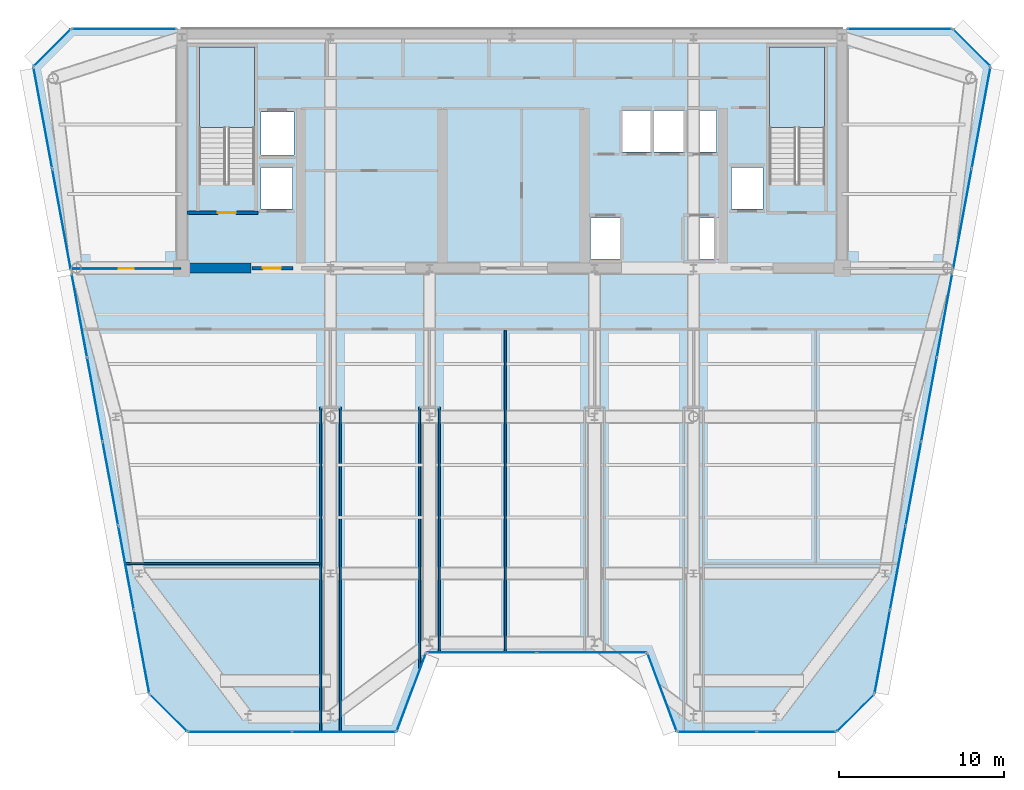
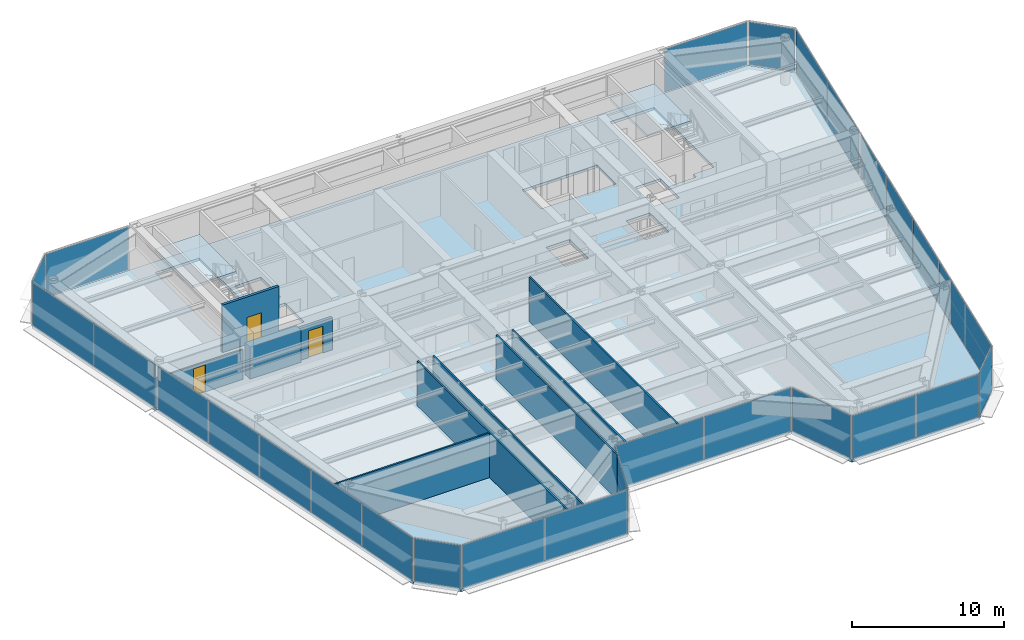
# One storey, part 10 of 17: 28 plates, 10 walls, 3 doors, 3 slabs, 3 openings, 17 elements without a shape of their own.
"""IFC4 building model written with IfcOpenShell, lengths in metres."""

from ifc_helpers import new_model, si_unit, direction, frame, frame_2d, origin, origin_2d, place, context, subcontext, project, spatial, polyline, rectangle, outline, extrude, source, transform, mapped, material, layer, layer_set, type_object, element, fill, aggregate, save


model = new_model("IFC4")

# Units and contexts
model_context = context("Model", 3, precision=1e-05, world=origin(), true_north=direction((0.0, 1.0)))
body_context = subcontext(model_context, "Body", "Model", "MODEL_VIEW")
ifc_project = project(units=[si_unit("LENGTHUNIT", "METRE"), si_unit("AREAUNIT", "SQUARE_METRE"), si_unit("VOLUMEUNIT", "CUBIC_METRE"), si_unit("PLANEANGLEUNIT", "RADIAN"), si_unit("MASSUNIT", "GRAM", prefix="KILO")], contexts=[model_context])

# Site, building, storey
site_placement = place(None, origin())
site = spatial("IfcSite", under=ifc_project, at=site_placement, CompositionType="ELEMENT")
building_placement = place(site_placement, origin())
building = spatial("IfcBuilding", under=site, at=building_placement, Name="Vaeldorn Concourse Tower", CompositionType="ELEMENT")
storey_placement = place(building_placement, frame((0.0, 0.0, 234.60009765625)))
storey = spatial("IfcBuildingStorey", under=building, at=storey_placement, Name="L60", CompositionType="ELEMENT", Elevation=234.60009765625)

# Stair, slab
ifc_material_1 = material(Name="Precast concrete C40/50", Category="concrete")
stair_type = type_object("IfcStairType", Name="STR-DOG-24x158", PredefinedType="HALF_TURN_STAIR", material=ifc_material_1)
stair_1_placement = place(storey_placement, origin())
stair_1 = element("IfcStair", 1, at=stair_1_placement, inside=storey, type_object=stair_type, Name="L60 West Core Exit Stair ST-1", PredefinedType="HALF_TURN_STAIR")
ifc_material_2 = material(Name="Concrete C40/50", Category="concrete")
ifc_layer_1 = layer(ifc_material_2, 0.199951171875)
ifc_layer_set_1 = layer_set([ifc_layer_1], Name="Concrete C40/50")
slab_type_1 = type_object("IfcSlabType", Name="SL-STAIR-LANDING", PredefinedType="LANDING", material=ifc_layer_set_1)
slab_1_placement = place(storey_placement, frame((0.0, 0.0, 1.699951171875)))
slab_1 = element("IfcSlab", 2, at=slab_1_placement, type_object=slab_type_1, Name="ST-1 landing 1", PredefinedType="LANDING", context=body_context, shape_type="SweptSolid", body=[
    extrude(outline(polyline([(18.39990234375, 45.010009765625), (18.39990234375, 49.89990234375), (15.050048828125, 49.89990234375), (15.050048828125, 45.010009765625), (18.39990234375, 45.010009765625)])), origin(), (0.0, 0.0, 1.0), 0.199951171875),
])
aggregate(stair_1, [slab_1])

stair_2_placement = place(storey_placement, origin())
stair_2 = element("IfcStair", 3, at=stair_2_placement, inside=storey, type_object=stair_type, Name="L60 East Core Exit Stair ST-2", PredefinedType="HALF_TURN_STAIR")
slab_2_placement = place(storey_placement, frame((0.0, 0.0, 1.699951171875)))
slab_2 = element("IfcSlab", 4, at=slab_2_placement, type_object=slab_type_1, Name="ST-2 landing 1", PredefinedType="LANDING", context=body_context, shape_type="SweptSolid", body=[
    extrude(outline(polyline([(52.949951171875, 45.010009765625), (52.949951171875, 49.89990234375), (49.60009765625, 49.89990234375), (49.60009765625, 45.010009765625), (52.949951171875, 45.010009765625)])), origin(), (0.0, 0.0, 1.0), 0.199951171875),
])
aggregate(stair_2, [slab_2])

# Slab
ifc_layer_2 = layer(ifc_material_2, 0.219970703125)
ifc_layer_set_2 = layer_set([ifc_layer_2], Name="Concrete C40/50")
slab_type_2 = type_object("IfcSlabType", Name="SL-TYP-220", PredefinedType="FLOOR", material=ifc_layer_set_2)
slab_3_placement = place(storey_placement, frame((0.0, 0.0, -0.22021484375)))
element("IfcSlab", 5, at=slab_3_placement, inside=storey, type_object=slab_type_2, Name="Structural Floor Slab L60", PredefinedType="FLOOR", context=body_context, shape_type="SweptSolid", body=[
    extrude(outline(polyline([(14.3291015625, 8.39990234375), (27.0, 8.39990234375), (28.800048828125, 13.199951171875), (42.199951171875, 13.199951171875), (44.0, 8.39990234375), (53.6708984375, 8.39990234375), (55.970947265625, 10.699951171875), (63.0, 48.699951171875), (60.699951171875, 51.0), (7.300048828125, 51.0), (5.0, 48.699951171875), (12.029052734375, 10.699951171875), (14.3291015625, 8.39990234375)]), holes=[polyline([(18.39990234375, 42.0), (18.39990234375, 49.89990234375), (15.050048828125, 49.89990234375), (15.050048828125, 41.60009765625), (16.800048828125, 41.60009765625), (16.800048828125, 42.0), (18.39990234375, 42.0)]), polyline([(52.949951171875, 42.0), (52.949951171875, 49.89990234375), (49.60009765625, 49.89990234375), (49.60009765625, 41.60009765625), (51.35009765625, 41.60009765625), (51.35009765625, 42.0), (52.949951171875, 42.0)]), polyline([(38.75, 37.050048828125), (40.550048828125, 37.050048828125), (40.550048828125, 39.550048828125), (38.75, 39.550048828125), (38.75, 37.050048828125)]), polyline([(44.85009765625, 37.050048828125), (46.64990234375, 37.050048828125), (46.64990234375, 39.550048828125), (44.85009765625, 39.550048828125), (44.85009765625, 37.050048828125)]), polyline([(40.699951171875, 43.550048828125), (46.39990234375, 43.550048828125), (46.39990234375, 46.050048828125), (40.699951171875, 46.050048828125), (40.699951171875, 43.550048828125)]), polyline([(18.800048828125, 43.35009765625), (20.800048828125, 43.35009765625), (20.800048828125, 45.949951171875), (18.800048828125, 45.949951171875), (18.800048828125, 43.35009765625)]), polyline([(18.800048828125, 40.10009765625), (20.699951171875, 40.10009765625), (20.699951171875, 42.60009765625), (18.800048828125, 42.60009765625), (18.800048828125, 40.10009765625)]), polyline([(47.300048828125, 40.10009765625), (49.199951171875, 40.10009765625), (49.199951171875, 42.60009765625), (47.300048828125, 42.60009765625), (47.300048828125, 40.10009765625)])]), origin(), (0.0, 0.0, 1.0), 0.22021484375),
])

# Curtain wall, plate
ifc_material_3 = material(Name="Anodised Bronze Aluminium", Category="aluminium")
ifc_layer_3 = layer(ifc_material_3, 0.179931640625)
ifc_layer_set_3 = layer_set([ifc_layer_3], Name="Anodised Bronze Aluminium")
curtain_wall_type = type_object("IfcCurtainWallType", Name="CW-SYS-05", PredefinedType="NOTDEFINED", material=ifc_layer_set_3)
curtain_wall_1_placement = place(storey_placement, origin())
curtain_wall_1 = element("IfcCurtainWall", 6, at=curtain_wall_1_placement, inside=storey, type_object=curtain_wall_type, Name="Unitised Curtain Wall CW-L60-E02-1", PredefinedType="NOTDEFINED")
ifc_material_4 = material(Name="Bronze Tinted Low-E Insulated Glass", Category="glass")
ifc_layer_4 = layer(ifc_material_4, 0.031982421875)
ifc_layer_set_4 = layer_set([ifc_layer_4], Name="Bronze Tinted Low-E Insulated Glass")
plate_type = type_object("IfcPlateType", Name="CWP-VISION-32", PredefinedType="CURTAIN_PANEL", material=ifc_layer_set_4)
shared_shape_1 = source(origin(), body_context, "Body", "SweptSolid", [
    extrude(rectangle(XDim=4.996337890625, YDim=0.031982421875, at=origin_2d()), origin(), (0.0, 0.0, 1.0), 3.449951171875),
])
plate_1_placement = place(storey_placement, frame((27.89990234375, 10.800048828125, 0.06494140625), z_axis=(0.0, 0.0, 1.0), x_axis=(0.351123441595, 0.936329177566, 0.0)))
plate_1 = element("IfcPlate", 7, at=plate_1_placement, type_object=plate_type, Name="CW-05 panel 1.1", PredefinedType="CURTAIN_PANEL", context=body_context, shape_type="MappedRepresentation", body=[
    mapped(shared_shape_1, transform((0.0, 0.0, 0.0), scale=1.0)),
])
aggregate(curtain_wall_1, [plate_1])

curtain_wall_2_placement = place(storey_placement, origin())
curtain_wall_2 = element("IfcCurtainWall", 8, at=curtain_wall_2_placement, inside=storey, type_object=curtain_wall_type, Name="Unitised Curtain Wall CW-L60-E04-1", PredefinedType="NOTDEFINED")
plate_2_placement = place(storey_placement, frame((43.10009765625, 10.800048828125, 0.06494140625), z_axis=(0.0, 0.0, 1.0), x_axis=(0.351123441595, -0.936329177566, 0.0)))
plate_2 = element("IfcPlate", 9, at=plate_2_placement, type_object=plate_type, Name="CW-05 panel 1.1", PredefinedType="CURTAIN_PANEL", context=body_context, shape_type="MappedRepresentation", body=[
    mapped(shared_shape_1, transform((0.0, 0.0, 0.0), scale=1.0)),
])
aggregate(curtain_wall_2, [plate_2])

# Curtain wall, plates
curtain_wall_3_placement = place(storey_placement, origin())
curtain_wall_3 = element("IfcCurtainWall", 10, at=curtain_wall_3_placement, inside=storey, type_object=curtain_wall_type, Name="Unitised Curtain Wall CW-L60-E03-1", PredefinedType="NOTDEFINED")
shared_shape_2 = source(origin(), body_context, "Body", "SweptSolid", [
    extrude(rectangle(XDim=6.6025390625, YDim=0.031982421875, at=origin_2d()), origin(), (0.0, 0.0, 1.0), 3.449951171875),
])
plate_3_placement = place(storey_placement, frame((32.166259765625, 13.199951171875, 0.06494140625), z_axis=(0.0, 0.0, 1.0), x_axis=(1.0, 0.0, 0.0)))
plate_3 = element("IfcPlate", 11, at=plate_3_placement, type_object=plate_type, Name="CW-05 panel 1.1", PredefinedType="CURTAIN_PANEL", context=body_context, shape_type="MappedRepresentation", body=[
    mapped(shared_shape_2, transform((0.0, 0.0, 0.0), scale=1.0)),
])
plate_4_placement = place(storey_placement, frame((38.833740234375, 13.199951171875, 0.06494140625), z_axis=(0.0, 0.0, 1.0), x_axis=(1.0, 0.0, 0.0)))
plate_4 = element("IfcPlate", 12, at=plate_4_placement, type_object=plate_type, Name="CW-05 panel 2.1", PredefinedType="CURTAIN_PANEL", context=body_context, shape_type="MappedRepresentation", body=[
    mapped(shared_shape_2, transform((0.0, 0.0, 0.0), scale=1.0)),
])
aggregate(curtain_wall_3, [plate_3, plate_4])

# Curtain wall, plate
curtain_wall_4_placement = place(storey_placement, origin())
curtain_wall_4 = element("IfcCurtainWall", 13, at=curtain_wall_4_placement, inside=storey, type_object=curtain_wall_type, Name="Unitised Curtain Wall CW-L60-E06-1", PredefinedType="NOTDEFINED")
shared_shape_3 = source(origin(), body_context, "Body", "SweptSolid", [
    extrude(rectangle(XDim=3.122802734375, YDim=0.031982421875, at=origin_2d()), origin(), (0.0, 0.0, 1.0), 3.449951171875),
])
plate_5_placement = place(storey_placement, frame((54.821044921875, 9.550048828125, 0.06494140625), z_axis=(0.0, 0.0, 1.0), x_axis=(0.707106781187, 0.707106781187, 0.0)))
plate_5 = element("IfcPlate", 14, at=plate_5_placement, type_object=plate_type, Name="CW-05 panel 1.1", PredefinedType="CURTAIN_PANEL", context=body_context, shape_type="MappedRepresentation", body=[
    mapped(shared_shape_3, transform((0.0, 0.0, 0.0), scale=1.0)),
])
aggregate(curtain_wall_4, [plate_5])

curtain_wall_5_placement = place(storey_placement, origin())
curtain_wall_5 = element("IfcCurtainWall", 15, at=curtain_wall_5_placement, inside=storey, type_object=curtain_wall_type, Name="Unitised Curtain Wall CW-L60-E08-1", PredefinedType="NOTDEFINED")
plate_6_placement = place(storey_placement, frame((61.85009765625, 49.85009765625, 0.06494140625), z_axis=(0.0, 0.0, 1.0), x_axis=(-0.707106781187, 0.707106781187, 0.0)))
plate_6 = element("IfcPlate", 16, at=plate_6_placement, type_object=plate_type, Name="CW-05 panel 1.1", PredefinedType="CURTAIN_PANEL", context=body_context, shape_type="MappedRepresentation", body=[
    mapped(shared_shape_3, transform((0.0, 0.0, 0.0), scale=1.0)),
])
aggregate(curtain_wall_5, [plate_6])

curtain_wall_6_placement = place(storey_placement, origin())
curtain_wall_6 = element("IfcCurtainWall", 17, at=curtain_wall_6_placement, inside=storey, type_object=curtain_wall_type, Name="Unitised Curtain Wall CW-L60-E10-1", PredefinedType="NOTDEFINED")
plate_7_placement = place(storey_placement, frame((6.14990234375, 49.85009765625, 0.06494140625), z_axis=(0.0, 0.0, 1.0), x_axis=(-0.707106781187, -0.707106781187, 0.0)))
plate_7 = element("IfcPlate", 18, at=plate_7_placement, type_object=plate_type, Name="CW-05 panel 1.1", PredefinedType="CURTAIN_PANEL", context=body_context, shape_type="MappedRepresentation", body=[
    mapped(shared_shape_3, transform((0.0, 0.0, 0.0), scale=1.0)),
])
aggregate(curtain_wall_6, [plate_7])

curtain_wall_7_placement = place(storey_placement, origin())
curtain_wall_7 = element("IfcCurtainWall", 19, at=curtain_wall_7_placement, inside=storey, type_object=curtain_wall_type, Name="Unitised Curtain Wall CW-L60-E12-1", PredefinedType="NOTDEFINED")
plate_8_placement = place(storey_placement, frame((13.178955078125, 9.550048828125, 0.06494140625), z_axis=(0.0, 0.0, 1.0), x_axis=(0.707106781187, -0.707106781187, 0.0)))
plate_8 = element("IfcPlate", 20, at=plate_8_placement, type_object=plate_type, Name="CW-05 panel 1.1", PredefinedType="CURTAIN_PANEL", context=body_context, shape_type="MappedRepresentation", body=[
    mapped(shared_shape_3, transform((0.0, 0.0, 0.0), scale=1.0)),
])
aggregate(curtain_wall_7, [plate_8])

curtain_wall_8_placement = place(storey_placement, origin())
curtain_wall_8 = element("IfcCurtainWall", 21, at=curtain_wall_8_placement, inside=storey, type_object=curtain_wall_type, Name="Unitised Curtain Wall CW-L60-E09-1", PredefinedType="NOTDEFINED")
shared_shape_4 = source(origin(), body_context, "Body", "SweptSolid", [
    extrude(rectangle(XDim=6.27490234375, YDim=0.031982421875, at=origin_2d()), origin(), (0.0, 0.0, 1.0), 3.449951171875),
])
plate_9_placement = place(storey_placement, frame((57.49755859375, 51.0, 0.06494140625), z_axis=(0.0, 0.0, 1.0), x_axis=(-1.0, 0.0, 0.0)))
plate_9 = element("IfcPlate", 22, at=plate_9_placement, type_object=plate_type, Name="CW-05 panel 1.1", PredefinedType="CURTAIN_PANEL", context=body_context, shape_type="MappedRepresentation", body=[
    mapped(shared_shape_4, transform((0.0, 0.0, 0.0), scale=1.0)),
])
aggregate(curtain_wall_8, [plate_9])

curtain_wall_9_placement = place(storey_placement, origin())
curtain_wall_9 = element("IfcCurtainWall", 23, at=curtain_wall_9_placement, inside=storey, type_object=curtain_wall_type, Name="Unitised Curtain Wall CW-L60-E09-2", PredefinedType="NOTDEFINED")
plate_10_placement = place(storey_placement, frame((10.50244140625, 51.0, 0.06494140625), z_axis=(0.0, 0.0, 1.0), x_axis=(-1.0, 0.0, 0.0)))
plate_10 = element("IfcPlate", 24, at=plate_10_placement, type_object=plate_type, Name="CW-05 panel 1.1", PredefinedType="CURTAIN_PANEL", context=body_context, shape_type="MappedRepresentation", body=[
    mapped(shared_shape_4, transform((0.0, 0.0, 0.0), scale=1.0)),
])
aggregate(curtain_wall_9, [plate_10])

# Curtain wall, plates
curtain_wall_10_placement = place(storey_placement, origin())
curtain_wall_10 = element("IfcCurtainWall", 25, at=curtain_wall_10_placement, inside=storey, type_object=curtain_wall_type, Name="Unitised Curtain Wall CW-L60-E01-1", PredefinedType="NOTDEFINED")
shared_shape_5 = source(origin(), body_context, "Body", "SweptSolid", [
    extrude(rectangle(XDim=6.238037109375, YDim=0.031982421875, at=origin_2d()), origin(), (0.0, 0.0, 1.0), 3.449951171875),
])
plate_11_placement = place(storey_placement, frame((17.512939453125, 8.39990234375, 0.06494140625), z_axis=(0.0, 0.0, 1.0), x_axis=(1.0, 0.0, 0.0)))
plate_11 = element("IfcPlate", 26, at=plate_11_placement, type_object=plate_type, Name="CW-05 panel 1.1", PredefinedType="CURTAIN_PANEL", context=body_context, shape_type="MappedRepresentation", body=[
    mapped(shared_shape_5, transform((0.0, 0.0, 0.0), scale=1.0)),
])
plate_12_placement = place(storey_placement, frame((23.81591796875, 8.39990234375, 0.06494140625), z_axis=(0.0, 0.0, 1.0), x_axis=(1.0, 0.0, 0.0)))
plate_12 = element("IfcPlate", 27, at=plate_12_placement, type_object=plate_type, Name="CW-05 panel 2.1", PredefinedType="CURTAIN_PANEL", context=body_context, shape_type="MappedRepresentation", body=[
    mapped(shared_shape_5, transform((0.0, 0.0, 0.0), scale=1.0)),
])
aggregate(curtain_wall_10, [plate_11, plate_12])

curtain_wall_11_placement = place(storey_placement, origin())
curtain_wall_11 = element("IfcCurtainWall", 28, at=curtain_wall_11_placement, inside=storey, type_object=curtain_wall_type, Name="Unitised Curtain Wall CW-L60-E05-1", PredefinedType="NOTDEFINED")
shared_shape_6 = source(origin(), body_context, "Body", "SweptSolid", [
    extrude(rectangle(XDim=4.738037109375, YDim=0.031982421875, at=origin_2d()), origin(), (0.0, 0.0, 1.0), 3.449951171875),
])
plate_13_placement = place(storey_placement, frame((46.43408203125, 8.39990234375, 0.06494140625), z_axis=(0.0, 0.0, 1.0), x_axis=(1.0, 0.0, 0.0)))
plate_13 = element("IfcPlate", 29, at=plate_13_placement, type_object=plate_type, Name="CW-05 panel 1.1", PredefinedType="CURTAIN_PANEL", context=body_context, shape_type="MappedRepresentation", body=[
    mapped(shared_shape_6, transform((0.0, 0.0, 0.0), scale=1.0)),
])
plate_14_placement = place(storey_placement, frame((51.237060546875, 8.39990234375, 0.06494140625), z_axis=(0.0, 0.0, 1.0), x_axis=(1.0, 0.0, 0.0)))
plate_14 = element("IfcPlate", 30, at=plate_14_placement, type_object=plate_type, Name="CW-05 panel 2.1", PredefinedType="CURTAIN_PANEL", context=body_context, shape_type="MappedRepresentation", body=[
    mapped(shared_shape_6, transform((0.0, 0.0, 0.0), scale=1.0)),
])
aggregate(curtain_wall_11, [plate_13, plate_14])

curtain_wall_12_placement = place(storey_placement, origin())
curtain_wall_12 = element("IfcCurtainWall", 31, at=curtain_wall_12_placement, inside=storey, type_object=curtain_wall_type, Name="Unitised Curtain Wall CW-L60-E07-1", PredefinedType="NOTDEFINED")
shared_shape_7 = source(origin(), body_context, "Body", "SweptSolid", [
    extrude(rectangle(XDim=5.0859375, YDim=0.031982421875, at=origin_2d()), origin(), (0.0, 0.0, 1.0), 3.449951171875),
])
plate_15_placement = place(storey_placement, frame((56.4453125, 13.264404296875, 0.06494140625), z_axis=(0.0, 0.0, 1.0), x_axis=(0.181889882456, 0.98331890588, 0.0)))
plate_15 = element("IfcPlate", 32, at=plate_15_placement, type_object=plate_type, Name="CW-05 panel 1.1", PredefinedType="CURTAIN_PANEL", context=body_context, shape_type="MappedRepresentation", body=[
    mapped(shared_shape_7, transform((0.0, 0.0, 0.0), scale=1.0)),
])
plate_16_placement = place(storey_placement, frame((60.210693359375, 33.62060546875, 0.06494140625), z_axis=(0.0, 0.0, 1.0), x_axis=(0.181889882456, 0.98331890588, 0.0)))
plate_16 = element("IfcPlate", 33, at=plate_16_placement, type_object=plate_type, Name="CW-05 panel 5.1", PredefinedType="CURTAIN_PANEL", context=body_context, shape_type="MappedRepresentation", body=[
    mapped(shared_shape_7, transform((0.0, 0.0, 0.0), scale=1.0)),
])

curtain_wall_13_placement = place(storey_placement, origin())
curtain_wall_13 = element("IfcCurtainWall", 34, at=curtain_wall_13_placement, inside=storey, type_object=curtain_wall_type, Name="Unitised Curtain Wall CW-L60-E11-2", PredefinedType="NOTDEFINED")
plate_17_placement = place(storey_placement, frame((7.789306640625, 33.62060546875, 0.06494140625), z_axis=(0.0, 0.0, 1.0), x_axis=(0.181889882456, -0.98331890588, 0.0)))
plate_17 = element("IfcPlate", 35, at=plate_17_placement, type_object=plate_type, Name="CW-05 panel 1.1", PredefinedType="CURTAIN_PANEL", context=body_context, shape_type="MappedRepresentation", body=[
    mapped(shared_shape_7, transform((0.0, 0.0, 0.0), scale=1.0)),
])
plate_18_placement = place(storey_placement, frame((11.5546875, 13.264404296875, 0.06494140625), z_axis=(0.0, 0.0, 1.0), x_axis=(0.181889882456, -0.98331890588, 0.0)))
plate_18 = element("IfcPlate", 36, at=plate_18_placement, type_object=plate_type, Name="CW-05 panel 5.1", PredefinedType="CURTAIN_PANEL", context=body_context, shape_type="MappedRepresentation", body=[
    mapped(shared_shape_7, transform((0.0, 0.0, 0.0), scale=1.0)),
])

# Plate
shared_shape_8 = source(origin(), body_context, "Body", "SweptSolid", [
    extrude(rectangle(XDim=5.118408203125, YDim=0.031982421875, at=origin_2d()), origin(), (0.0, 0.0, 1.0), 3.449951171875),
])
plate_19_placement = place(storey_placement, frame((57.38525390625, 18.345458984375, 0.06494140625), z_axis=(0.0, 0.0, 1.0), x_axis=(0.181889882456, 0.98331890588, 0.0)))
plate_19 = element("IfcPlate", 37, at=plate_19_placement, type_object=plate_type, Name="CW-05 panel 2.1", PredefinedType="CURTAIN_PANEL", context=body_context, shape_type="MappedRepresentation", body=[
    mapped(shared_shape_8, transform((0.0, 0.0, 0.0), scale=1.0)),
])

plate_20_placement = place(storey_placement, frame((58.328125, 23.4423828125, 0.06494140625), z_axis=(0.0, 0.0, 1.0), x_axis=(0.181889882456, 0.98331890588, 0.0)))
plate_20 = element("IfcPlate", 38, at=plate_20_placement, type_object=plate_type, Name="CW-05 panel 3.1", PredefinedType="CURTAIN_PANEL", context=body_context, shape_type="MappedRepresentation", body=[
    mapped(shared_shape_8, transform((0.0, 0.0, 0.0), scale=1.0)),
])

plate_21_placement = place(storey_placement, frame((59.270751953125, 28.53955078125, 0.06494140625), z_axis=(0.0, 0.0, 1.0), x_axis=(0.181889882456, 0.98331890588, 0.0)))
plate_21 = element("IfcPlate", 39, at=plate_21_placement, type_object=plate_type, Name="CW-05 panel 4.1", PredefinedType="CURTAIN_PANEL", context=body_context, shape_type="MappedRepresentation", body=[
    mapped(shared_shape_8, transform((0.0, 0.0, 0.0), scale=1.0)),
])

aggregate(curtain_wall_12, [plate_15, plate_19, plate_20, plate_21, plate_16])

plate_22_placement = place(storey_placement, frame((8.729248046875, 28.53955078125, 0.06494140625), z_axis=(0.0, 0.0, 1.0), x_axis=(0.181889882456, -0.98331890588, 0.0)))
plate_22 = element("IfcPlate", 40, at=plate_22_placement, type_object=plate_type, Name="CW-05 panel 2.1", PredefinedType="CURTAIN_PANEL", context=body_context, shape_type="MappedRepresentation", body=[
    mapped(shared_shape_8, transform((0.0, 0.0, 0.0), scale=1.0)),
])

plate_23_placement = place(storey_placement, frame((9.671875, 23.4423828125, 0.06494140625), z_axis=(0.0, 0.0, 1.0), x_axis=(0.181889882456, -0.98331890588, 0.0)))
plate_23 = element("IfcPlate", 41, at=plate_23_placement, type_object=plate_type, Name="CW-05 panel 3.1", PredefinedType="CURTAIN_PANEL", context=body_context, shape_type="MappedRepresentation", body=[
    mapped(shared_shape_8, transform((0.0, 0.0, 0.0), scale=1.0)),
])

plate_24_placement = place(storey_placement, frame((10.61474609375, 18.345458984375, 0.06494140625), z_axis=(0.0, 0.0, 1.0), x_axis=(0.181889882456, -0.98331890588, 0.0)))
plate_24 = element("IfcPlate", 42, at=plate_24_placement, type_object=plate_type, Name="CW-05 panel 4.1", PredefinedType="CURTAIN_PANEL", context=body_context, shape_type="MappedRepresentation", body=[
    mapped(shared_shape_8, transform((0.0, 0.0, 0.0), scale=1.0)),
])

aggregate(curtain_wall_13, [plate_17, plate_22, plate_23, plate_24, plate_18])

# Curtain wall, plates
curtain_wall_14_placement = place(storey_placement, origin())
curtain_wall_14 = element("IfcCurtainWall", 43, at=curtain_wall_14_placement, inside=storey, type_object=curtain_wall_type, Name="Unitised Curtain Wall CW-L60-E07-2", PredefinedType="NOTDEFINED")
shared_shape_9 = source(origin(), body_context, "Body", "SweptSolid", [
    extrude(rectangle(XDim=6.183837890625, YDim=0.031982421875, at=origin_2d()), origin(), (0.0, 0.0, 1.0), 3.449951171875),
])
plate_25_placement = place(storey_placement, frame((61.289306640625, 39.451171875, 0.06494140625), z_axis=(0.0, 0.0, 1.0), x_axis=(0.181888300792, 0.983319198447, 0.0)))
plate_25 = element("IfcPlate", 44, at=plate_25_placement, type_object=plate_type, Name="CW-05 panel 1.1", PredefinedType="CURTAIN_PANEL", context=body_context, shape_type="MappedRepresentation", body=[
    mapped(shared_shape_9, transform((0.0, 0.0, 0.0), scale=1.0)),
])
plate_26_placement = place(storey_placement, frame((62.42578125, 45.595703125, 0.06494140625), z_axis=(0.0, 0.0, 1.0), x_axis=(0.181888300792, 0.983319198447, 0.0)))
plate_26 = element("IfcPlate", 45, at=plate_26_placement, type_object=plate_type, Name="CW-05 panel 2.1", PredefinedType="CURTAIN_PANEL", context=body_context, shape_type="MappedRepresentation", body=[
    mapped(shared_shape_9, transform((0.0, 0.0, 0.0), scale=1.0)),
])
aggregate(curtain_wall_14, [plate_25, plate_26])

curtain_wall_15_placement = place(storey_placement, origin())
curtain_wall_15 = element("IfcCurtainWall", 46, at=curtain_wall_15_placement, inside=storey, type_object=curtain_wall_type, Name="Unitised Curtain Wall CW-L60-E11-1", PredefinedType="NOTDEFINED")
plate_27_placement = place(storey_placement, frame((5.57421875, 45.595703125, 0.06494140625), z_axis=(0.0, 0.0, 1.0), x_axis=(0.181888300792, -0.983319198447, 0.0)))
plate_27 = element("IfcPlate", 47, at=plate_27_placement, type_object=plate_type, Name="CW-05 panel 1.1", PredefinedType="CURTAIN_PANEL", context=body_context, shape_type="MappedRepresentation", body=[
    mapped(shared_shape_9, transform((0.0, 0.0, 0.0), scale=1.0)),
])
plate_28_placement = place(storey_placement, frame((6.710693359375, 39.451171875, 0.06494140625), z_axis=(0.0, 0.0, 1.0), x_axis=(0.181888300792, -0.983319198447, 0.0)))
plate_28 = element("IfcPlate", 48, at=plate_28_placement, type_object=plate_type, Name="CW-05 panel 2.1", PredefinedType="CURTAIN_PANEL", context=body_context, shape_type="MappedRepresentation", body=[
    mapped(shared_shape_9, transform((0.0, 0.0, 0.0), scale=1.0)),
])
aggregate(curtain_wall_15, [plate_27, plate_28])

# Wall
ifc_material_5 = material(Name="Concrete C50/60", Category="concrete")
ifc_layer_5 = layer(ifc_material_5, 0.60009765625)
ifc_layer_set_5 = layer_set([ifc_layer_5], Name="Concrete C50/60")
wall_type_1 = type_object("IfcWallType", Name="WL-CORE-600", PredefinedType="SHEAR", material=ifc_layer_set_5)
wall_1_placement = place(storey_placement, frame((14.320068359375, 36.5, 0.0), z_axis=(0.0, 0.0, 1.0), x_axis=(1.0, 0.0, 0.0)))
element("IfcWall", 49, at=wall_1_placement, inside=storey, type_object=wall_type_1, Name="Rear Core Shear Wall L60 S1", PredefinedType="SHEAR", context=body_context, shape_type="SweptSolid", body=[
    extrude(rectangle(XDim=3.8798828125, YDim=0.60009765625, at=frame_2d((1.93994140625, 0.0))), origin(), (0.0, 0.0, 1.0), 2.579833984375),
])

# Wall, opening, door
ifc_material_6 = material(Name="Gypsum Board Partition", Category="gypsum")
ifc_layer_6 = layer(ifc_material_6, 0.1201171875)
ifc_layer_set_6 = layer_set([ifc_layer_6], Name="Gypsum Board Partition")
wall_type_2 = type_object("IfcWallType", Name="WL-PART-120", PredefinedType="PARTITIONING", material=ifc_layer_set_6)
wall_2_placement = place(storey_placement, frame((7.305908203125, 36.47998046875, 0.0), z_axis=(0.0, 0.0, 1.0), x_axis=(1.0, 0.0, 0.0)))
wall_2 = element("IfcWall", 50, at=wall_2_placement, inside=storey, type_object=wall_type_2, Name="Interior Wall PW-L60-NWS", PredefinedType="PARTITIONING", context=body_context, shape_type="SweptSolid", body=[
    extrude(rectangle(XDim=6.634033203125, YDim=0.1201171875, at=frame_2d((3.31689453125, 0.0))), origin(), (0.0, 0.0, 1.0), 2.369873046875),
])
opening_1_placement = place(wall_2_placement, frame((2.866943359375, 0.0, 0.0)))
opening_1 = element("IfcOpeningElement", 51, at=opening_1_placement, cuts=wall_2, Name="Opening D-03", PredefinedType="OPENING", context=body_context, shape_type="SweptSolid", body=[
    extrude(rectangle(XDim=0.89990234375, YDim=2.14990234375, at=frame_2d((0.449951171875, 1.074951171875))), frame((0.0, 0.070068359375, 0.0), z_axis=(0.0, -1.0, 0.0), x_axis=(1.0, 0.0, 0.0)), (0.0, 0.0, 1.0), 0.14013671875),
])
ifc_material_7 = material(Name="Acoustic Bronze-Framed Glass Door", Category="glass")
door_type_1 = type_object("IfcDoorType", Name="DR-INT-900", OperationType="NOTDEFINED", PredefinedType="DOOR", material=ifc_material_7)
shared_shape_10 = source(origin(), body_context, "Body", "SweptSolid", [
    extrude(rectangle(XDim=0.89990234375, YDim=2.14990234375, at=frame_2d((0.449951171875, 1.074951171875))), frame((0.0, 0.02490234375, 0.0), z_axis=(0.0, -1.0, 0.0), x_axis=(1.0, 0.0, 0.0)), (0.0, 0.0, 1.0), 0.050048828125),
])
door_1_placement = place(opening_1_placement, origin())
door_1 = element("IfcDoor", 52, at=door_1_placement, inside=storey, type_object=door_type_1, Name="Interior Door DR-L60-NWC", OperationType="SINGLE_SWING_LEFT", OverallHeight=2.14990234375, OverallWidth=0.89990234375, PredefinedType="DOOR", context=body_context, shape_type="MappedRepresentation", body=[
    mapped(shared_shape_10, transform((0.0, 0.0, 0.0), scale=1.0)),
])
fill(opening_1, door_1)

# Walls
wall_3_placement = place(storey_placement, frame((10.607666015625, 18.60009765625, 0.0), z_axis=(0.0, 0.0, 1.0), x_axis=(1.0, 0.0, 0.0)))
element("IfcWall", 53, at=wall_3_placement, inside=storey, type_object=wall_type_2, Name="Interior Wall PW-L60-FLW", PredefinedType="PARTITIONING", context=body_context, shape_type="SweptSolid", body=[
    extrude(rectangle(XDim=11.75244140625, YDim=0.1201171875, at=frame_2d((5.876220703125, 0.0))), origin(), (0.0, 0.0, 1.0), 3.579833984375),
])
for number, where, z_axis, x_axis, name in (
    (54, (22.39990234375, 8.43994140625, 0.0), (0.0, 0.0, 1.0), (0.0, 1.0, 0.0), "Interior Wall PW-L60-SB1W"),
    (55, (23.60009765625, 8.43994140625, 0.0), (0.0, 0.0, 1.0), (0.0, 1.0, 0.0), "Interior Wall PW-L60-SB1E"),
):
    element("IfcWall", number, at=place(storey_placement, frame(where, z_axis=z_axis, x_axis=x_axis)), inside=storey, type_object=wall_type_2, Name=name, PredefinedType="PARTITIONING", context=body_context, shape_type="SweptSolid", body=[
        extrude(rectangle(XDim=19.64013671875, YDim=0.1201171875, at=frame_2d((9.820068359375, 0.0))), origin(), (0.0, 0.0, 1.0), 3.579833984375),
    ])
wall_4_placement = place(storey_placement, frame((28.39990234375, 12.17333984375, 0.0), z_axis=(0.0, 0.0, 1.0), x_axis=(0.0, 1.0, 0.0)))
element("IfcWall", 56, at=wall_4_placement, inside=storey, type_object=wall_type_2, Name="Interior Wall PW-L60-SB2W", PredefinedType="PARTITIONING", context=body_context, shape_type="SweptSolid", body=[
    extrude(rectangle(XDim=15.90673828125, YDim=0.1201171875, at=frame_2d((7.953369140625, 0.0))), origin(), (0.0, 0.0, 1.0), 3.579833984375),
])
wall_5_placement = place(storey_placement, frame((29.60009765625, 13.239990234375, 0.0), z_axis=(0.0, 0.0, 1.0), x_axis=(0.0, 1.0, 0.0)))
element("IfcWall", 57, at=wall_5_placement, inside=storey, type_object=wall_type_2, Name="Interior Wall PW-L60-SB2E", PredefinedType="PARTITIONING", context=body_context, shape_type="SweptSolid", body=[
    extrude(rectangle(XDim=14.840087890625, YDim=0.1201171875, at=frame_2d((7.419921875, 0.0))), origin(), (0.0, 0.0, 1.0), 3.579833984375),
])
wall_6_placement = place(storey_placement, frame((33.60009765625, 13.239990234375, 0.0), z_axis=(0.0, 0.0, 1.0), x_axis=(0.0, 1.0, 0.0)))
element("IfcWall", 58, at=wall_6_placement, inside=storey, type_object=wall_type_2, Name="Interior Wall PW-L60-SBX3", PredefinedType="PARTITIONING", context=body_context, shape_type="SweptSolid", body=[
    extrude(rectangle(XDim=19.5, YDim=0.1201171875, at=frame_2d((9.75, 0.0))), origin(), (0.0, 0.0, 1.0), 3.579833984375),
])

# Wall, opening, door
ifc_layer_7 = layer(ifc_material_5, 0.199951171875)
ifc_layer_set_7 = layer_set([ifc_layer_7], Name="Concrete C50/60")
wall_type_3 = type_object("IfcWallType", Name="WL-SHAFT-200", PredefinedType="SOLIDWALL", material=ifc_layer_set_7)
wall_7_placement = place(storey_placement, frame((14.300048828125, 39.85009765625, 0.0), z_axis=(0.0, 0.0, 1.0), x_axis=(1.0, 0.0, 0.0)))
wall_7 = element("IfcWall", 59, at=wall_7_placement, inside=storey, type_object=wall_type_3, Name="Stair Shaft Wall CW-L60-ST-1-S", PredefinedType="SOLIDWALL", context=body_context, shape_type="SweptSolid", body=[
    extrude(rectangle(XDim=4.300048828125, YDim=0.199951171875, at=frame_2d((2.14990234375, 0.0))), origin(), (0.0, 0.0, 1.0), 3.7998046875),
])
opening_2_placement = place(wall_7_placement, frame((1.875, 0.0, 0.0)))
opening_2 = element("IfcOpeningElement", 60, at=opening_2_placement, cuts=wall_7, Name="Opening D-01", PredefinedType="OPENING", context=body_context, shape_type="SweptSolid", body=[
    extrude(rectangle(XDim=1.10009765625, YDim=2.14990234375, at=frame_2d((0.550048828125, 1.074951171875))), frame((0.0, 0.10986328125, 0.0), z_axis=(0.0, -1.0, 0.0), x_axis=(1.0, 0.0, 0.0)), (0.0, 0.0, 1.0), 0.219970703125),
])
ifc_material_8 = material(Name="Fire-Rated Timber and Steel Leaf", Category="steel")
door_type_2 = type_object("IfcDoorType", Name="DR-FD60-1100", OperationType="NOTDEFINED", PredefinedType="DOOR", material=ifc_material_8)
shared_shape_11 = source(origin(), body_context, "Body", "SweptSolid", [
    extrude(rectangle(XDim=1.10009765625, YDim=2.14990234375, at=frame_2d((0.550048828125, 1.074951171875))), frame((0.0, 0.02490234375, 0.0), z_axis=(0.0, -1.0, 0.0), x_axis=(1.0, 0.0, 0.0)), (0.0, 0.0, 1.0), 0.050048828125),
])
door_2_placement = place(opening_2_placement, origin())
door_2 = element("IfcDoor", 61, at=door_2_placement, inside=storey, type_object=door_type_2, Name="Interior Door DR-L60-ST-1", OperationType="SINGLE_SWING_LEFT", OverallHeight=2.14990234375, OverallWidth=1.10009765625, PredefinedType="DOOR", context=body_context, shape_type="MappedRepresentation", body=[
    mapped(shared_shape_11, transform((0.0, 0.0, 0.0), scale=1.0)),
])
fill(opening_2, door_2)

wall_8_placement = place(storey_placement, frame((18.25, 36.5, 0.0), z_axis=(0.0, 0.0, 1.0), x_axis=(1.0, 0.0, 0.0)))
wall_8 = element("IfcWall", 62, at=wall_8_placement, inside=storey, type_object=wall_type_3, Name="Interior Wall CW-L60-FF1S", PredefinedType="SOLIDWALL", context=body_context, shape_type="SweptSolid", body=[
    extrude(rectangle(XDim=2.469970703125, YDim=0.199951171875, at=frame_2d((1.23486328125, 0.0))), origin(), (0.0, 0.0, 1.0), 2.56982421875),
])
opening_3_placement = place(wall_8_placement, frame((0.64990234375, 0.0, 0.0)))
opening_3 = element("IfcOpeningElement", 63, at=opening_3_placement, cuts=wall_8, Name="Opening D-01", PredefinedType="OPENING", context=body_context, shape_type="SweptSolid", body=[
    extrude(rectangle(XDim=1.10009765625, YDim=2.14990234375, at=frame_2d((0.550048828125, 1.074951171875))), frame((0.0, 0.10986328125, 0.0), z_axis=(0.0, -1.0, 0.0), x_axis=(1.0, 0.0, 0.0)), (0.0, 0.0, 1.0), 0.219970703125),
])
door_3_placement = place(opening_3_placement, origin())
door_3 = element("IfcDoor", 64, at=door_3_placement, inside=storey, type_object=door_type_2, Name="Interior Door DR-L60-FF1E", OperationType="SINGLE_SWING_RIGHT", OverallHeight=2.14990234375, OverallWidth=1.10009765625, PredefinedType="DOOR", context=body_context, shape_type="MappedRepresentation", body=[
    mapped(shared_shape_11, transform((0.0, 0.0, 0.0), scale=1.0)),
])
fill(opening_3, door_3)

save(model, "model.ifc")
